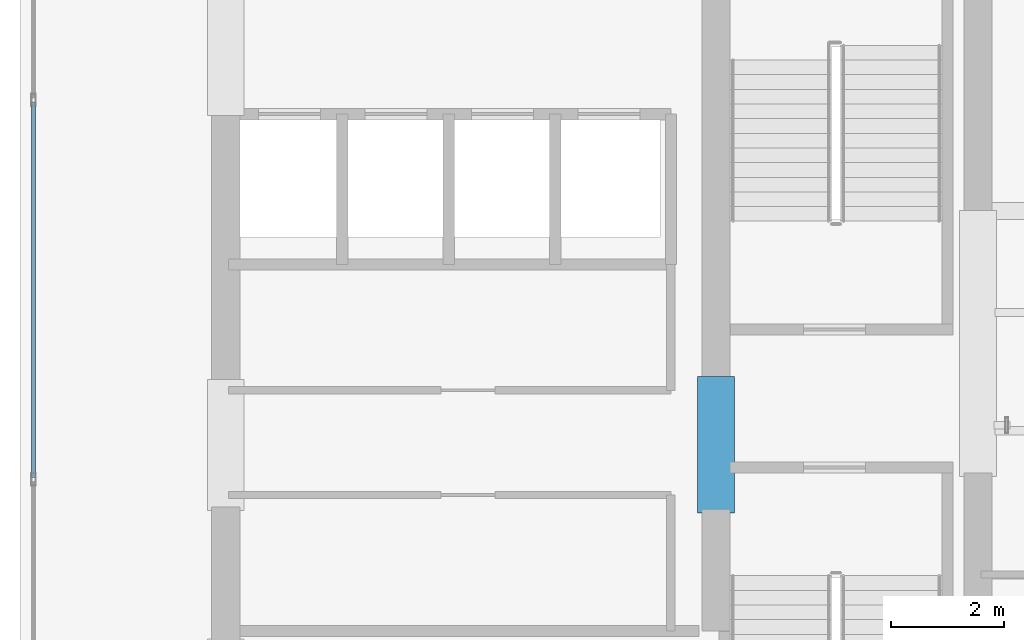
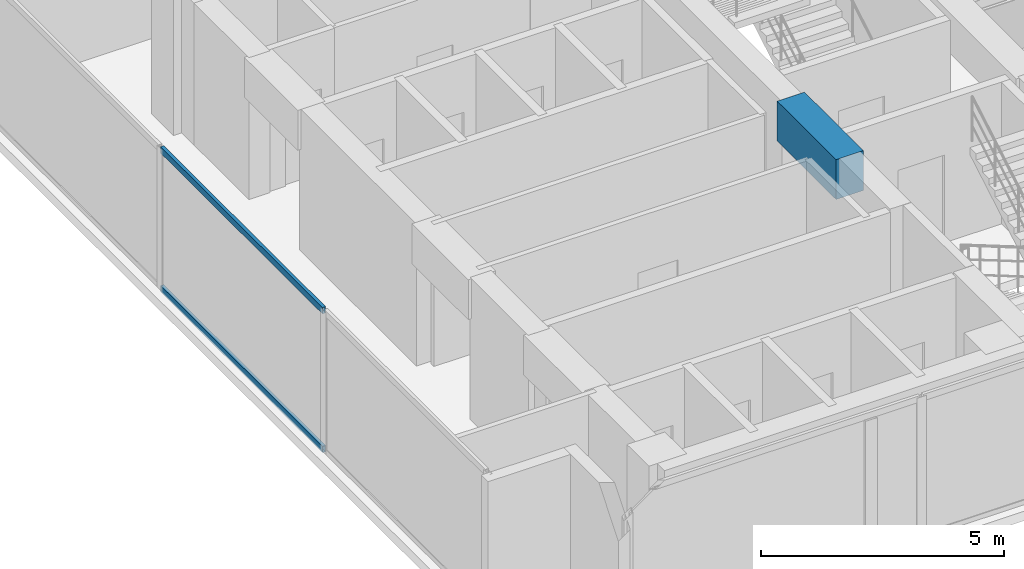
# One storey, part 3 of 22: 2 members, 1 beam, 1 element without a shape of its own.
"""IFC4 building model written with IfcOpenShell, lengths in metres."""

from ifc_helpers import new_model, si_unit, direction, frame, origin, origin_with_axes, origin_2d, place, context, subcontext, project, spatial, rectangle, hollow_rectangle, extrude, source, transform, mapped, material, layer, layer_set, material_profile, profile_set, type_object, element, aggregate, save


model = new_model("IFC4")

# Units and contexts
model_context = context("Model", 3, precision=1e-05, world=origin(), true_north=direction((0.0, 1.0)))
body_context = subcontext(model_context, "Body", "Model", "MODEL_VIEW")
ifc_project = project(units=[si_unit("LENGTHUNIT", "METRE"), si_unit("AREAUNIT", "SQUARE_METRE"), si_unit("VOLUMEUNIT", "CUBIC_METRE"), si_unit("PLANEANGLEUNIT", "RADIAN"), si_unit("MASSUNIT", "GRAM", prefix="KILO")], contexts=[model_context])

# Site, building, storey
site_placement = place(None, origin())
site = spatial("IfcSite", under=ifc_project, at=site_placement, CompositionType="ELEMENT")
building_placement = place(site_placement, origin())
building = spatial("IfcBuilding", under=site, at=building_placement, Name="Kolvaren Waterfront Exchange", CompositionType="ELEMENT")
storey_placement = place(building_placement, frame((0.0, 0.0, 281.800048828125)))
storey = spatial("IfcBuildingStorey", under=building, at=storey_placement, Name="L72", CompositionType="ELEMENT", Elevation=281.800048828125)

# Beam
ifc_material_1 = material(Name="Concrete C60/75", Category="concrete")
ifc_material_profile_1 = material_profile(ifc_material_1, rectangle(XDim=0.64990234375, YDim=1.0, at=origin_2d()), Name="RC-CB-1000x650")
ifc_profile_set_1 = profile_set([ifc_material_profile_1], Name="Concrete C60/75")
beam_type = type_object("IfcBeamType", Name="STR-CB-1000", PredefinedType="SPANDREL", material=ifc_profile_set_1)
beam_placement = place(storey_placement, frame((16.14990234375, 12.0400390625, 3.06005859375), z_axis=(0.0, 1.0, 0.0), x_axis=(-1.0, 0.0, 0.0)))
element("IfcBeam", 1, at=beam_placement, inside=storey, type_object=beam_type, Name="L72 core coupling beam 6", PredefinedType="SPANDREL", context=body_context, shape_type="SweptSolid", body=[
    extrude(rectangle(XDim=0.64990234375, YDim=1.0, at=origin_2d()), origin(), (0.0, 0.0, 1.0), 2.419921875),
])

# Curtain wall, members
ifc_material_2 = material(Name="Anodised aluminium 6063-T6", Category="aluminium")
ifc_layer = layer(ifc_material_2, 0.219970703125, Name="Anodised aluminium 6063-T6")
ifc_layer_set = layer_set([ifc_layer], Name="Anodised aluminium 6063-T6")
curtain_wall_type = type_object("IfcCurtainWallType", Name="ARC-CW-SYS2", PredefinedType="USERDEFINED", material=ifc_layer_set)
curtain_wall_placement = place(storey_placement, origin())
curtain_wall = element("IfcCurtainWall", 2, at=curtain_wall_placement, inside=storey, type_object=curtain_wall_type, Name="L72 stick curtain wall CW2 (CW-L72-W)", ObjectType="STICK CURTAIN WALL", PredefinedType="USERDEFINED")
ifc_material_profile_2 = material_profile(ifc_material_2, hollow_rectangle(XDim=0.074951171875, YDim=0.159912109375, WallThickness=0.00439453125, at=origin_2d()), Name="ALU-TRN-160x75x4.5")
ifc_profile_set_2 = profile_set([ifc_material_profile_2], Name="Anodised aluminium 6063-T6")
member_type = type_object("IfcMemberType", Name="ARC-CWT-160", PredefinedType="USERDEFINED", material=ifc_profile_set_2)
shared_shape = source(origin_with_axes(), body_context, "Body", "SweptSolid", [
    extrude(hollow_rectangle(XDim=0.074951171875, YDim=0.159912109375, WallThickness=0.00439453125, at=origin_2d()), origin(), (0.0, 0.0, 1.0), 6.656005859375),
])
member_1_placement = place(storey_placement, frame((4.0400390625, 12.676025390625, 0.037353515625), z_axis=(0.0, 1.0, 0.0), x_axis=(-1.0, 0.0, 0.0)))
member_1 = element("IfcMember", 3, at=member_1_placement, type_object=member_type, Name="CW2 transom 2.1", ObjectType="TRANSOM", PredefinedType="USERDEFINED", context=body_context, shape_type="MappedRepresentation", body=[
    mapped(shared_shape, transform((0.0, 0.0, 0.0), x_axis=(1.0, 0.0, 0.0), y_axis=(0.0, 1.0, 0.0), z_axis=(0.0, 0.0, 1.0), scale=1.0)),
])
member_2_placement = place(storey_placement, frame((4.0400390625, 12.676025390625, 3.5224609375), z_axis=(0.0, 1.0, 0.0), x_axis=(-1.0, 0.0, 0.0)))
member_2 = element("IfcMember", 4, at=member_2_placement, type_object=member_type, Name="CW2 transom 2.2", ObjectType="TRANSOM", PredefinedType="USERDEFINED", context=body_context, shape_type="MappedRepresentation", body=[
    mapped(shared_shape, transform((0.0, 0.0, 0.0), x_axis=(1.0, 0.0, 0.0), y_axis=(0.0, 1.0, 0.0), z_axis=(0.0, 0.0, 1.0), scale=1.0)),
])
aggregate(curtain_wall, [member_1, member_2])

save(model, "model.ifc")
